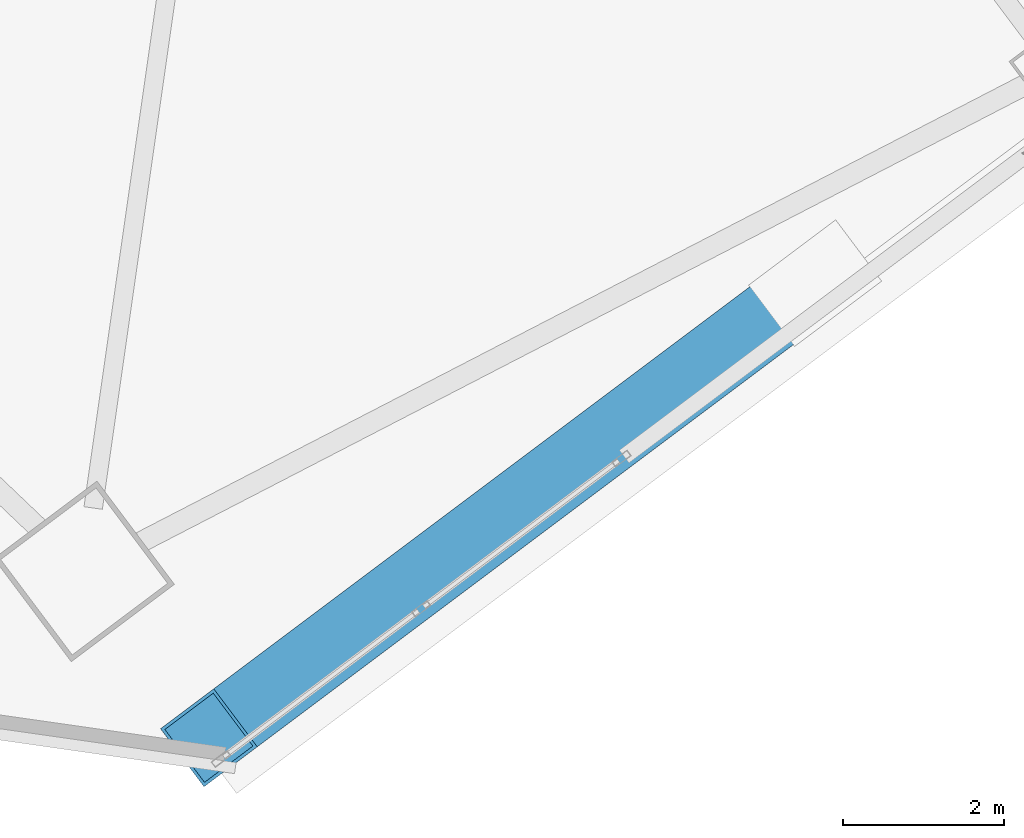
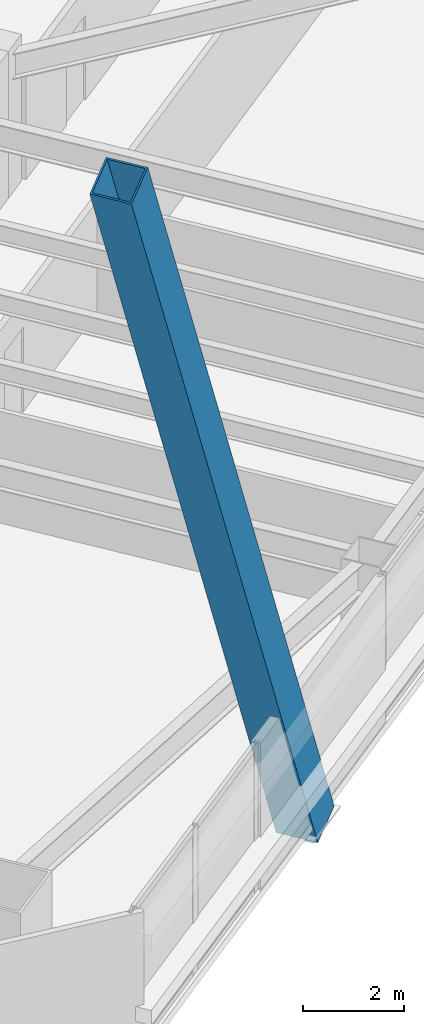
# One storey, part 41 of 75: 1 member.
"""IFC4 building model written with IfcOpenShell, lengths in metres."""

from ifc_helpers import new_model, si_unit, direction, frame, origin, origin_2d, place, context, subcontext, project, spatial, hollow_rectangle, extrude, material, material_profile, profile_set, type_object, element, save


model = new_model("IFC4")

# Units and contexts
model_context = context("Model", 3, precision=1e-05, world=origin(), true_north=direction((0.0, 1.0)))
body_context = subcontext(model_context, "Body", "Model", "MODEL_VIEW")
ifc_project = project(units=[si_unit("LENGTHUNIT", "METRE"), si_unit("AREAUNIT", "SQUARE_METRE"), si_unit("VOLUMEUNIT", "CUBIC_METRE"), si_unit("PLANEANGLEUNIT", "RADIAN"), si_unit("MASSUNIT", "GRAM", prefix="KILO")], contexts=[model_context])

# Site, building, storey
site_placement = place(None, origin())
site = spatial("IfcSite", under=ifc_project, at=site_placement, CompositionType="ELEMENT")
building_placement = place(site_placement, origin())
building = spatial("IfcBuilding", under=site, at=building_placement, Name="Tashvorn Skyway Center", CompositionType="ELEMENT")
storey_placement = place(building_placement, frame((0.0, 0.0, 45.89990234375)))
storey = spatial("IfcBuildingStorey", under=building, at=storey_placement, Name="L11", CompositionType="ELEMENT", Elevation=45.89990234375)

# Member
ifc_material = material(Name="Steel ASTM A572 Grade 50", Category="steel")
ifc_material_profile = material_profile(ifc_material, hollow_rectangle(XDim=0.89990234375, YDim=0.89990234375, WallThickness=0.0400390625, at=origin_2d()), Name="BOX900x900x40")
ifc_profile_set = profile_set([ifc_material_profile], Name="Steel ASTM A572 Grade 50")
member_type = type_object("IfcMemberType", Name="MEM-MB-900", PredefinedType="BRACE", material=ifc_profile_set)
member_placement = place(storey_placement, frame((119.30810546875, 9.256103515625, -0.449951171875), z_axis=(-0.320476506079, -0.240362581762, 0.916253588446), x_axis=(0.600008311051, -0.799993766644, 0.0)))
element("IfcMember", 1, at=member_placement, inside=storey, type_object=member_type, Name="Tower 2 Zone 1 S Chevron Mega-Brace L2", PredefinedType="BRACE", context=body_context, shape_type="SweptSolid", body=[
    extrude(hollow_rectangle(XDim=0.89990234375, YDim=0.89990234375, WallThickness=0.0400390625, at=origin_2d()), origin(), (0.0, 0.0, 1.0), 23.465087890625),
])

save(model, "model.ifc")
